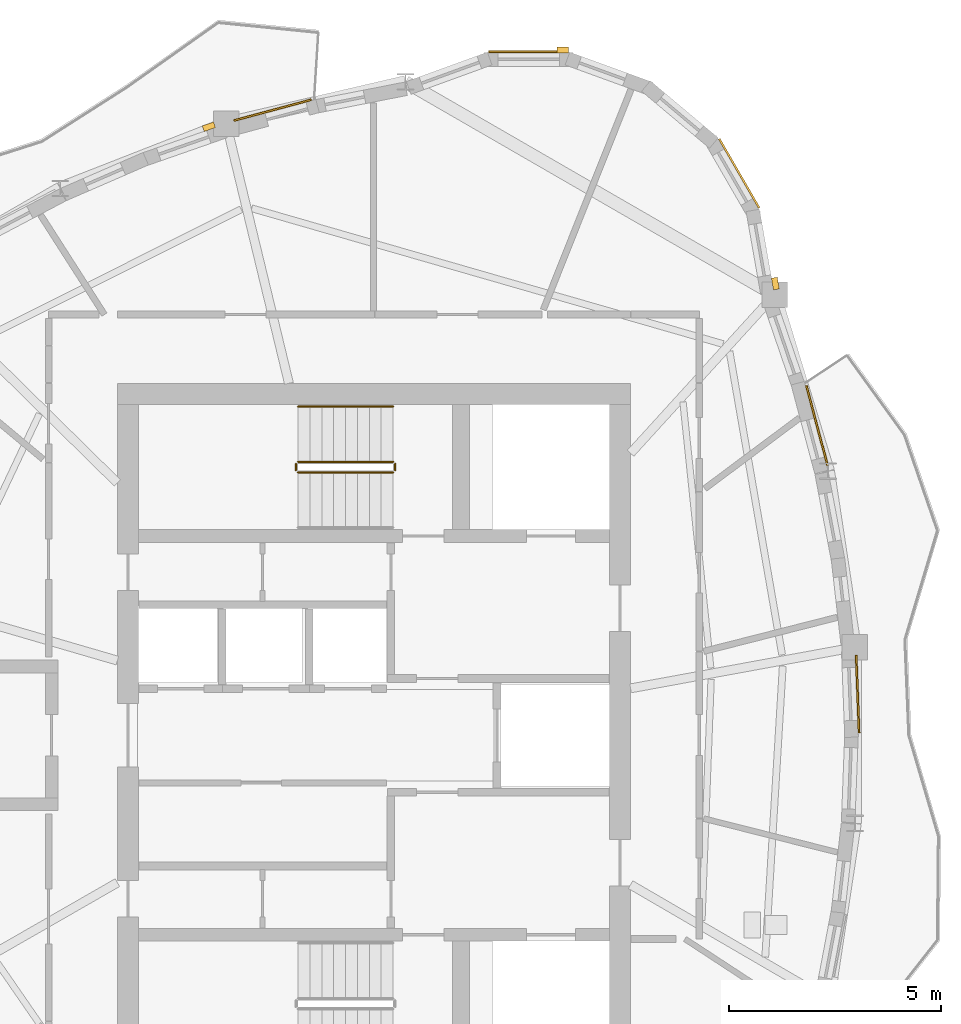
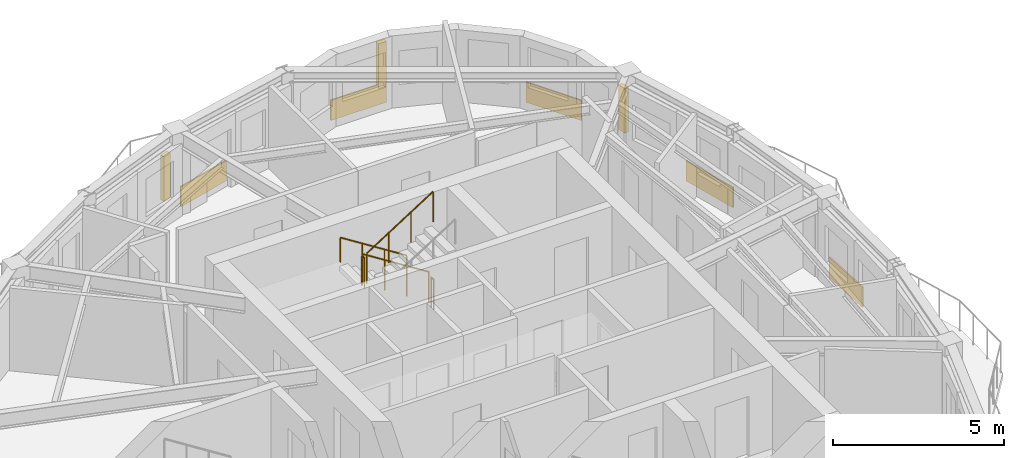
# One storey, part 10 of 11: 5 coverings, 5 railings, 3 shading devices.
"""IFC4 building model written with IfcOpenShell, lengths in metres."""

from ifc_helpers import new_model, si_unit, direction, frame, origin, origin_2d, place, context, subcontext, project, spatial, rectangle, circle, extrude, source, transform, mapped, material, layer, layer_set, type_object, element, save


model = new_model("IFC4")

# Units and contexts
model_context = context("Model", 3, precision=1e-05, world=origin(), true_north=direction((0.0, 1.0)))
body_context = subcontext(model_context, "Body", "Model", "MODEL_VIEW")
ifc_project = project(units=[si_unit("LENGTHUNIT", "METRE"), si_unit("AREAUNIT", "SQUARE_METRE"), si_unit("VOLUMEUNIT", "CUBIC_METRE"), si_unit("PLANEANGLEUNIT", "RADIAN"), si_unit("MASSUNIT", "GRAM", prefix="KILO")], contexts=[model_context])

# Site, building, storey
site_placement = place(None, origin())
site = spatial("IfcSite", under=ifc_project, at=site_placement, CompositionType="ELEMENT")
building_placement = place(site_placement, origin())
building = spatial("IfcBuilding", under=site, at=building_placement, Name="Qafzar Sky-Pleat Residences", CompositionType="ELEMENT")
storey_placement = place(building_placement, frame((0.0, 0.0, 234.0)))
storey = spatial("IfcBuildingStorey", under=building, at=storey_placement, Name="L70", CompositionType="ELEMENT", Elevation=234.0)

# Shading devices
ifc_material_1 = material(Name="Honed Riyadh limestone solar fin", Category="masonry")
ifc_layer_1 = layer(ifc_material_1, 0.139892578125)
ifc_layer_set_1 = layer_set([ifc_layer_1], Name="Honed Riyadh limestone solar fin")
shading_device_type = type_object("IfcShadingDeviceType", Name="SHD-FIN-STONE", PredefinedType="SHUTTER", material=ifc_layer_set_1)
shared_shape_1 = source(origin(), body_context, "Body", "SweptSolid", [
    extrude(rectangle(XDim=0.139892578125, YDim=0.280029296875, at=origin_2d()), origin(), (0.0, 0.0, 1.0), 1.60009765625),
])
for number, where, z_axis, x_axis, name in (
    (1, (39.813720703125, 36.652099609375, 0.599853515625), (0.0, 0.0, 1.0), (0.984807537751, 0.173649398471, 0.0), "L70 Limestone Solar Fin 33"),
    (2, (34.800048828125, 42.160400390625, 0.599853515625), (0.0, 0.0, 1.0), (0.0, 1.0, 0.0), "L70 Limestone Solar Fin 37"),
    (3, (26.457275390625, 40.349365234375, 0.599853515625), (0.0, 0.0, 1.0), (-0.329579093923, 0.944127968471, 0.0), "L70 Limestone Solar Fin 41"),
):
    element("IfcShadingDevice", number, at=place(storey_placement, frame(where, z_axis=z_axis, x_axis=x_axis)), inside=storey, type_object=shading_device_type, Name=name, PredefinedType="SHUTTER", context=body_context, shape_type="MappedRepresentation", body=[
        mapped(shared_shape_1, transform((0.0, 0.0, 0.0), x_axis=(1.0, 0.0, 0.0), y_axis=(0.0, 1.0, 0.0), z_axis=(0.0, 0.0, 1.0), scale=1.0)),
    ])

# Coverings
ifc_material_2 = material(Name="Honed Riyadh Tuwaiq limestone cladding", Category="masonry")
ifc_layer_2 = layer(ifc_material_2, 0.044921875)
ifc_layer_set_2 = layer_set([ifc_layer_2], Name="Honed Riyadh Tuwaiq limestone cladding")
covering_type = type_object("IfcCoveringType", Name="COV-CLAD-STONE", PredefinedType="CLADDING", material=ifc_layer_set_2)
shared_shape_2 = source(origin(), body_context, "Body", "SweptSolid", [
    extrude(rectangle(XDim=1.88134765625, YDim=0.044921875, at=origin_2d()), origin(), (0.0, 0.0, 1.0), 0.719970703125),
])
covering_1_placement = place(storey_placement, frame((33.9951171875, 42.117431640625, 0.02001953125), z_axis=(0.0, 0.0, 1.0), x_axis=(-1.0, 0.0, 0.0)))
element("IfcCovering", 4, at=covering_1_placement, inside=storey, type_object=covering_type, Name="L70 Riyadh Limestone Spandrel Cladding 37", PredefinedType="CLADDING", context=body_context, shape_type="MappedRepresentation", body=[
    mapped(shared_shape_2, transform((0.0, 0.0, 0.0), x_axis=(1.0, 0.0, 0.0), y_axis=(0.0, 1.0, 0.0), z_axis=(0.0, 0.0, 1.0), scale=1.0)),
])
shared_shape_3 = source(origin(), body_context, "Body", "SweptSolid", [
    extrude(rectangle(XDim=1.881103515625, YDim=0.044921875, at=origin_2d()), origin(), (0.0, 0.0, 1.0), 0.719970703125),
])
covering_2_placement = place(storey_placement, frame((38.960693359375, 39.25048828125, 0.02001953125), z_axis=(0.0, 0.0, 1.0), x_axis=(-0.499993018474, 0.866029434533, 0.0)))
element("IfcCovering", 5, at=covering_2_placement, inside=storey, type_object=covering_type, Name="L70 Riyadh Limestone Spandrel Cladding 34", PredefinedType="CLADDING", context=body_context, shape_type="MappedRepresentation", body=[
    mapped(shared_shape_3, transform((0.0, 0.0, 0.0), x_axis=(1.0, 0.0, 0.0), y_axis=(0.0, 1.0, 0.0), z_axis=(0.0, 0.0, 1.0), scale=1.0)),
])
shared_shape_4 = source(origin(), body_context, "Body", "SweptSolid", [
    extrude(rectangle(XDim=1.823486328125, YDim=0.044921875, at=origin_2d()), origin(), (0.0, 0.0, 1.0), 0.719970703125),
])
covering_3_placement = place(storey_placement, frame((41.7529296875, 26.975341796875, 0.02001953125), z_axis=(0.0, 0.0, 1.0), x_axis=(-0.038002853535, 0.999277630653, 0.0)))
element("IfcCovering", 6, at=covering_3_placement, inside=storey, type_object=covering_type, Name="L70 Riyadh Limestone Spandrel Cladding 28", PredefinedType="CLADDING", context=body_context, shape_type="MappedRepresentation", body=[
    mapped(shared_shape_4, transform((0.0, 0.0, 0.0), x_axis=(1.0, 0.0, 0.0), y_axis=(0.0, 1.0, 0.0), z_axis=(0.0, 0.0, 1.0), scale=1.0)),
])
shared_shape_5 = source(origin(), body_context, "Body", "SweptSolid", [
    extrude(rectangle(XDim=1.9501953125, YDim=0.044921875, at=origin_2d()), origin(), (0.0, 0.0, 1.0), 0.719970703125),
])
covering_4_placement = place(storey_placement, frame((40.795166015625, 33.30224609375, 0.02001953125), z_axis=(0.0, 0.0, 1.0), x_axis=(-0.257091020196, 0.966387193279, 0.0)))
element("IfcCovering", 7, at=covering_4_placement, inside=storey, type_object=covering_type, Name="L70 Riyadh Limestone Spandrel Cladding 31", PredefinedType="CLADDING", context=body_context, shape_type="MappedRepresentation", body=[
    mapped(shared_shape_5, transform((0.0, 0.0, 0.0), x_axis=(1.0, 0.0, 0.0), y_axis=(0.0, 1.0, 0.0), z_axis=(0.0, 0.0, 1.0), scale=1.0)),
])
shared_shape_6 = source(origin(), body_context, "Body", "SweptSolid", [
    extrude(rectangle(XDim=1.88720703125, YDim=0.044921875, at=origin_2d()), origin(), (0.0, 0.0, 1.0), 0.719970703125),
])
covering_5_placement = place(storey_placement, frame((27.960205078125, 40.7412109375, 0.02001953125), z_axis=(0.0, 0.0, 1.0), x_axis=(-0.965466876139, -0.260525835722, 0.0)))
element("IfcCovering", 8, at=covering_5_placement, inside=storey, type_object=covering_type, Name="L70 Riyadh Limestone Spandrel Cladding 40", PredefinedType="CLADDING", context=body_context, shape_type="MappedRepresentation", body=[
    mapped(shared_shape_6, transform((0.0, 0.0, 0.0), x_axis=(1.0, 0.0, 0.0), y_axis=(0.0, 1.0, 0.0), z_axis=(0.0, 0.0, 1.0), scale=1.0)),
])

# Railings
ifc_material_3 = material(Name="Painted Steel S355 stair guardrail", Category="steel")
railing_type_1 = type_object("IfcRailingType", Name="RAIL-STAIR-GUARD", PredefinedType="GUARDRAIL", material=ifc_material_3)
shared_shape_7 = source(origin(), body_context, "Body", "SweptSolid", [
    extrude(circle(Radius=0.02392578125, at=origin_2d()), frame((0.0, 0.0, 1.076171875), z_axis=(0.0, -1.0, 0.0), x_axis=(1.0, 0.0, 0.0)), (0.0, 0.0, 1.0), 0.14990234375),
    extrude(circle(Radius=0.02099609375, at=origin_2d()), origin(), (0.0, 0.0, 1.0), 1.052001953125),
    extrude(circle(Radius=0.02099609375, at=origin_2d()), frame((0.0, -0.14990234375, 0.0)), (0.0, 0.0, 1.0), 1.052001953125),
])
for number, where, name in (
    (9, (28.510009765625, 32.39990234375, 1.60009765625), "L70 ST2 stair guard 2"),
    (10, (30.85009765625, 32.39990234375, 0.0), "L70 ST2 stair guard 4"),
):
    element("IfcRailing", number, at=place(storey_placement, frame(where)), inside=storey, type_object=railing_type_1, Name=name, PredefinedType="GUARDRAIL", context=body_context, shape_type="MappedRepresentation", body=[
        mapped(shared_shape_7, transform((0.0, 0.0, 0.0), x_axis=(1.0, 0.0, 0.0), y_axis=(0.0, 1.0, 0.0), z_axis=(0.0, 0.0, 1.0), scale=1.0)),
    ])
shared_shape_8 = source(origin(), body_context, "Body", "SweptSolid", [
    extrude(circle(Radius=0.02392578125, at=origin_2d()), frame((0.0, 0.0, 1.076171875), z_axis=(0.8442293374, 0.0, 0.53598211339), x_axis=(0.0, 1.0, 0.0)), (0.0, 0.0, 1.0), 2.6533203125),
    extrude(circle(Radius=0.02099609375, at=origin_2d()), origin(), (0.0, 0.0, 1.0), 1.052001953125),
    extrude(circle(Radius=0.02099609375, at=origin_2d()), frame((0.74658203125, 0.0, 0.47412109375)), (0.0, 0.0, 1.0), 1.052001953125),
    extrude(circle(Radius=0.02099609375, at=origin_2d()), frame((1.493408203125, 0.0, 0.947998046875)), (0.0, 0.0, 1.0), 1.052001953125),
    extrude(circle(Radius=0.02099609375, at=origin_2d()), frame((2.239990234375, 0.0, 1.422119140625)), (0.0, 0.0, 1.0), 1.052001953125),
])
railing_1_placement = place(storey_placement, frame((28.56005859375, 32.199951171875, 1.77783203125)))
element("IfcRailing", 11, at=railing_1_placement, inside=storey, type_object=railing_type_1, Name="L70 ST2 stair guard 3", PredefinedType="GUARDRAIL", context=body_context, shape_type="MappedRepresentation", body=[
    mapped(shared_shape_8, transform((0.0, 0.0, 0.0), x_axis=(1.0, 0.0, 0.0), y_axis=(0.0, 1.0, 0.0), z_axis=(0.0, 0.0, 1.0), scale=1.0)),
])
shared_shape_9 = source(origin(), body_context, "Body", "SweptSolid", [
    extrude(circle(Radius=0.02392578125, at=origin_2d()), frame((0.0, 0.0, 1.076171875), z_axis=(-0.84418770128, 0.0, 0.536047689118), x_axis=(0.0, -1.0, 0.0)), (0.0, 0.0, 1.0), 2.6533203125),
    extrude(circle(Radius=0.02099609375, at=origin_2d()), origin(), (0.0, 0.0, 1.0), 1.052001953125),
    extrude(circle(Radius=0.02099609375, at=origin_2d()), frame((-0.74658203125, 0.0, 0.47412109375)), (0.0, 0.0, 1.0), 1.052001953125),
    extrude(circle(Radius=0.02099609375, at=origin_2d()), frame((-1.493408203125, 0.0, 0.9482421875)), (0.0, 0.0, 1.0), 1.052001953125),
    extrude(circle(Radius=0.02099609375, at=origin_2d()), frame((-2.239990234375, 0.0, 1.42236328125)), (0.0, 0.0, 1.0), 1.052001953125),
])
railing_2_placement = place(storey_placement, frame((30.800048828125, 32.449951171875, 0.177734375)))
element("IfcRailing", 12, at=railing_2_placement, inside=storey, type_object=railing_type_1, Name="L70 ST2 stair guard 1", PredefinedType="GUARDRAIL", context=body_context, shape_type="MappedRepresentation", body=[
    mapped(shared_shape_9, transform((0.0, 0.0, 0.0), x_axis=(1.0, 0.0, 0.0), y_axis=(0.0, 1.0, 0.0), z_axis=(0.0, 0.0, 1.0), scale=1.0)),
])
ifc_material_4 = material(Name="Brushed stainless steel handrail", Category="steel")
railing_type_2 = type_object("IfcRailingType", Name="RAIL-STAIR-HAND", PredefinedType="HANDRAIL", material=ifc_material_4)
shared_shape_10 = source(origin(), body_context, "Body", "SweptSolid", [
    extrude(circle(Radius=0.02392578125, at=origin_2d()), frame((0.0, 0.0, 0.8759765625), z_axis=(-0.84418770128, 0.0, 0.536047689118), x_axis=(0.0, -1.0, 0.0)), (0.0, 0.0, 1.0), 2.6533203125),
    extrude(circle(Radius=0.02099609375, at=origin_2d()), origin(), (0.0, 0.0, 1.0), 0.851806640625),
    extrude(circle(Radius=0.02099609375, at=origin_2d()), frame((-0.74658203125, 0.0, 0.47412109375)), (0.0, 0.0, 1.0), 0.851806640625),
    extrude(circle(Radius=0.02099609375, at=origin_2d()), frame((-1.493408203125, 0.0, 0.9482421875)), (0.0, 0.0, 1.0), 0.851806640625),
    extrude(circle(Radius=0.02099609375, at=origin_2d()), frame((-2.239990234375, 0.0, 1.42236328125)), (0.0, 0.0, 1.0), 0.851806640625),
])
railing_3_placement = place(storey_placement, frame((30.800048828125, 33.75, 0.177734375)))
element("IfcRailing", 13, at=railing_3_placement, inside=storey, type_object=railing_type_2, Name="L70 ST2 stair handrail 1", PredefinedType="HANDRAIL", context=body_context, shape_type="MappedRepresentation", body=[
    mapped(shared_shape_10, transform((0.0, 0.0, 0.0), x_axis=(1.0, 0.0, 0.0), y_axis=(0.0, 1.0, 0.0), z_axis=(0.0, 0.0, 1.0), scale=1.0)),
])

save(model, "model.ifc")
